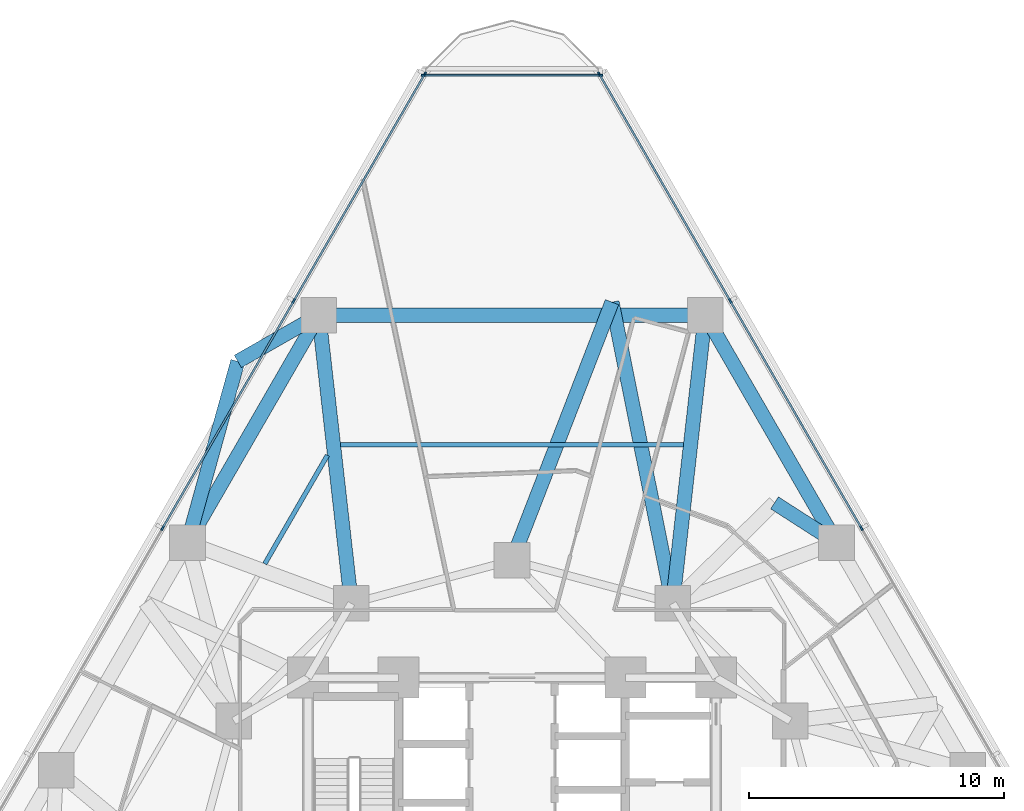
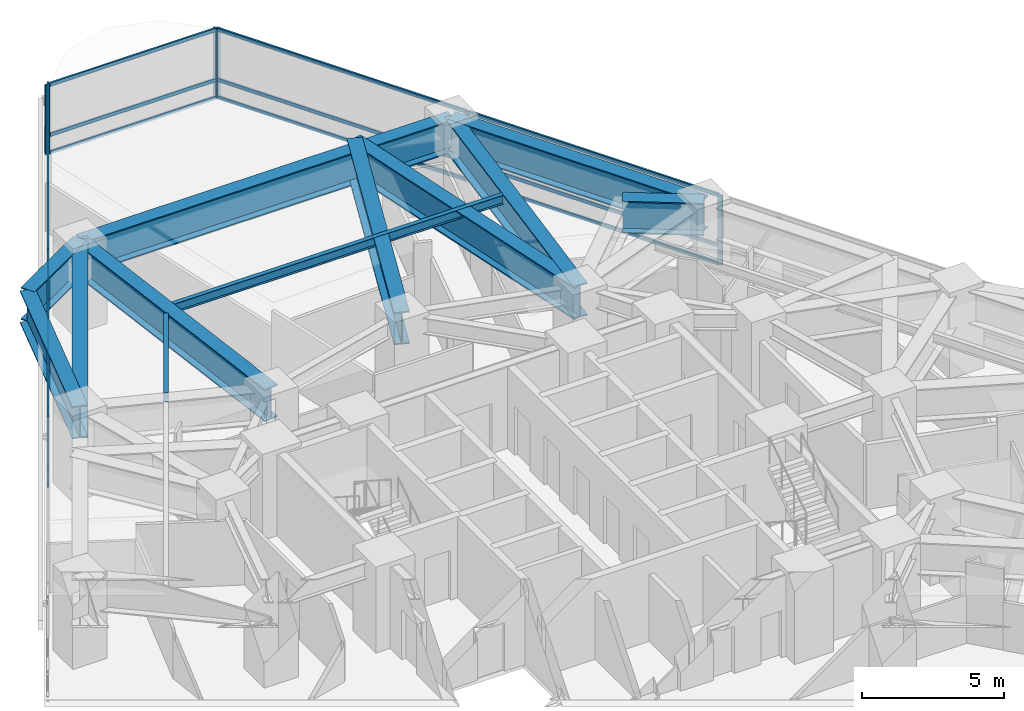
# One storey, part 6 of 15: 23 members, 12 beams, 3 elements without a shape of their own.
"""IFC4 building model written with IfcOpenShell, lengths in metres."""

from ifc_helpers import new_model, si_unit, direction, frame, origin, origin_2d, place, context, subcontext, project, spatial, rectangle, i_section, extrude, material, layer, layer_set, material_profile, profile_set, type_object, element, aggregate, save


model = new_model("IFC4")

# Units and contexts
model_context = context("Model", 3, precision=1e-05, world=origin(), true_north=direction((0.0, 1.0)))
body_context = subcontext(model_context, "Body", "Model", "MODEL_VIEW")
ifc_project = project(units=[si_unit("LENGTHUNIT", "METRE"), si_unit("AREAUNIT", "SQUARE_METRE"), si_unit("VOLUMEUNIT", "CUBIC_METRE"), si_unit("PLANEANGLEUNIT", "RADIAN"), si_unit("MASSUNIT", "GRAM", prefix="KILO")], contexts=[model_context])

# Site, building, storey
site_placement = place(None, origin())
site = spatial("IfcSite", under=ifc_project, at=site_placement, CompositionType="ELEMENT")
building_placement = place(site_placement, origin())
building = spatial("IfcBuilding", under=site, at=building_placement, Name="Terralouvre Media Tower", CompositionType="ELEMENT")
storey_placement = place(building_placement, frame((0.0, 0.0, 51.89990234375)))
storey = spatial("IfcBuildingStorey", under=building, at=storey_placement, Name="L12", CompositionType="ELEMENT", Elevation=51.89990234375)

# Beams
ifc_material_1 = material(Name="Structural steel S355J2", Category="steel")
ifc_material_profile_1 = material_profile(ifc_material_1, i_section(OverallWidth=0.179931640625, OverallDepth=0.39990234375, WebThickness=0.008544921875, FlangeThickness=0.013427734375, at=origin_2d()), Name="IPE 400")
ifc_profile_set_1 = profile_set([ifc_material_profile_1], Name="Structural steel S355J2")
beam_type_1 = type_object("IfcBeamType", Name="Composite Floor Joist J-IPE400 (IPE 400)", PredefinedType="JOIST", material=ifc_profile_set_1)
beam_1_placement = place(storey_placement, frame((6.721435546875, 17.127685546875, 3.300048828125), z_axis=(-1.0, 0.0, 0.0), x_axis=(0.0, -1.0, 0.0)))
element("IfcBeam", 1, at=beam_1_placement, inside=storey, type_object=beam_type_1, Name="L12 Framing Beam JT-L12-09", PredefinedType="JOIST", context=body_context, shape_type="SweptSolid", body=[
    extrude(i_section(OverallWidth=0.179931640625, OverallDepth=0.39990234375, WebThickness=0.008544921875, FlangeThickness=0.013427734375, at=origin_2d()), origin(), (0.0, 0.0, 1.0), 13.44287109375),
])
beam_2_placement = place(storey_placement, frame((-7.23583984375, 16.72119140625, 3.300048828125), z_axis=(-0.500013496215, -0.866017611601, 0.0), x_axis=(0.866017611601, -0.500013496215, 0.0)))
element("IfcBeam", 2, at=beam_2_placement, inside=storey, type_object=beam_type_1, Name="L12 Framing Beam JT-L12-10", PredefinedType="JOIST", context=body_context, shape_type="SweptSolid", body=[
    extrude(i_section(OverallWidth=0.179931640625, OverallDepth=0.39990234375, WebThickness=0.008544921875, FlangeThickness=0.013427734375, at=origin_2d()), origin(), (0.0, 0.0, 1.0), 4.913330078125),
])

# Curtain wall, members
ifc_material_2 = material(Name="Low-iron laminated double glazing with solar-control coating", Category="glass")
ifc_layer_1 = layer(ifc_material_2, 0.1650390625, Name="Lower Media Tower Unitised Curtain Wall CW-02")
ifc_layer_set_1 = layer_set([ifc_layer_1], Name="Low-iron laminated double glazing with solar-control coating")
curtain_wall_type_1 = type_object("IfcCurtainWallType", Name="Lower Media Tower Unitised Curtain Wall CW-02", PredefinedType="NOTDEFINED", material=ifc_layer_set_1)
curtain_wall_1_placement = place(storey_placement, origin())
curtain_wall_1 = element("IfcCurtainWall", 3, at=curtain_wall_1_placement, inside=storey, type_object=curtain_wall_type_1, Name="L12 Facade Curtain Wall F1", PredefinedType="NOTDEFINED")
ifc_material_3 = material(Name="Anodised extruded aluminium 6063-T6", Category="aluminium")
ifc_material_profile_2 = material_profile(ifc_material_3, rectangle(XDim=0.074951171875, YDim=0.14990234375, at=origin_2d()), Name="ALU 75x150")
ifc_profile_set_2 = profile_set([ifc_material_profile_2], Name="Anodised extruded aluminium 6063-T6")
member_type_1 = type_object("IfcMemberType", Name="Curtain-Wall Horizontal Transom TR-150", PredefinedType="USERDEFINED", material=ifc_profile_set_2)
member_1_placement = place(storey_placement, frame((13.684814453125, 13.890869140625, 0.03759765625), z_axis=(-0.499998717582, 0.866026144187, 0.0), x_axis=(-0.866026144187, -0.499998717582, 0.0)))
member_1 = element("IfcMember", 4, at=member_1_placement, type_object=member_type_1, Name="CW-02 transom 4.1", ObjectType="TRANSOM", PredefinedType="USERDEFINED", context=body_context, shape_type="SweptSolid", body=[
    extrude(rectangle(XDim=0.074951171875, YDim=0.14990234375, at=origin_2d()), origin(), (0.0, 0.0, 1.0), 10.22509765625),
])
member_2_placement = place(storey_placement, frame((13.684814453125, 13.890869140625, 0.800048828125), z_axis=(-0.499998717582, 0.866026144187, 0.0), x_axis=(-0.866026144187, -0.499998717582, 0.0)))
member_2 = element("IfcMember", 5, at=member_2_placement, type_object=member_type_1, Name="CW-02 transom 4.2", ObjectType="TRANSOM", PredefinedType="USERDEFINED", context=body_context, shape_type="SweptSolid", body=[
    extrude(rectangle(XDim=0.074951171875, YDim=0.14990234375, at=origin_2d()), origin(), (0.0, 0.0, 1.0), 10.22509765625),
])
member_3_placement = place(storey_placement, frame((13.684814453125, 13.890869140625, 2.962646484375), z_axis=(-0.499998717582, 0.866026144187, 0.0), x_axis=(-0.866026144187, -0.499998717582, 0.0)))
member_3 = element("IfcMember", 6, at=member_3_placement, type_object=member_type_1, Name="CW-02 transom 4.3", ObjectType="TRANSOM", PredefinedType="USERDEFINED", context=body_context, shape_type="SweptSolid", body=[
    extrude(rectangle(XDim=0.074951171875, YDim=0.14990234375, at=origin_2d()), origin(), (0.0, 0.0, 1.0), 10.22509765625),
])
member_4_placement = place(storey_placement, frame((8.53466796875, 22.81103515625, 0.03759765625), z_axis=(-0.500005272087, 0.866022359922, 0.0), x_axis=(-0.866022359922, -0.500005272087, 0.0)))
member_4 = element("IfcMember", 7, at=member_4_placement, type_object=member_type_1, Name="CW-02 transom 5.1", ObjectType="TRANSOM", PredefinedType="USERDEFINED", context=body_context, shape_type="SweptSolid", body=[
    extrude(rectangle(XDim=0.074951171875, YDim=0.14990234375, at=origin_2d()), origin(), (0.0, 0.0, 1.0), 10.1875),
])
member_5_placement = place(storey_placement, frame((8.53466796875, 22.81103515625, 0.800048828125), z_axis=(-0.500005272087, 0.866022359922, 0.0), x_axis=(-0.866022359922, -0.500005272087, 0.0)))
member_5 = element("IfcMember", 8, at=member_5_placement, type_object=member_type_1, Name="CW-02 transom 5.2", ObjectType="TRANSOM", PredefinedType="USERDEFINED", context=body_context, shape_type="SweptSolid", body=[
    extrude(rectangle(XDim=0.074951171875, YDim=0.14990234375, at=origin_2d()), origin(), (0.0, 0.0, 1.0), 10.1875),
])
member_6_placement = place(storey_placement, frame((8.53466796875, 22.81103515625, 2.962646484375), z_axis=(-0.500005272087, 0.866022359922, 0.0), x_axis=(-0.866022359922, -0.500005272087, 0.0)))
member_6 = element("IfcMember", 9, at=member_6_placement, type_object=member_type_1, Name="CW-02 transom 5.3", ObjectType="TRANSOM", PredefinedType="USERDEFINED", context=body_context, shape_type="SweptSolid", body=[
    extrude(rectangle(XDim=0.074951171875, YDim=0.14990234375, at=origin_2d()), origin(), (0.0, 0.0, 1.0), 10.1875),
])

curtain_wall_2_placement = place(storey_placement, origin())
curtain_wall_2 = element("IfcCurtainWall", 10, at=curtain_wall_2_placement, inside=storey, type_object=curtain_wall_type_1, Name="L12 Facade Curtain Wall F2", PredefinedType="NOTDEFINED")
member_7_placement = place(storey_placement, frame((-3.44091796875, 31.633544921875, 0.03759765625), z_axis=(-0.500005272087, -0.866022359922, 0.0), x_axis=(0.866022359922, -0.500005272087, 0.0)))
member_7 = element("IfcMember", 11, at=member_7_placement, type_object=member_type_1, Name="CW-02 transom 1.1", ObjectType="TRANSOM", PredefinedType="USERDEFINED", context=body_context, shape_type="SweptSolid", body=[
    extrude(rectangle(XDim=0.074951171875, YDim=0.14990234375, at=origin_2d()), origin(), (0.0, 0.0, 1.0), 10.1875),
])
member_8_placement = place(storey_placement, frame((-3.44091796875, 31.633544921875, 0.800048828125), z_axis=(-0.500005272087, -0.866022359922, 0.0), x_axis=(0.866022359922, -0.500005272087, 0.0)))
member_8 = element("IfcMember", 12, at=member_8_placement, type_object=member_type_1, Name="CW-02 transom 1.2", ObjectType="TRANSOM", PredefinedType="USERDEFINED", context=body_context, shape_type="SweptSolid", body=[
    extrude(rectangle(XDim=0.074951171875, YDim=0.14990234375, at=origin_2d()), origin(), (0.0, 0.0, 1.0), 10.1875),
])
member_9_placement = place(storey_placement, frame((-3.44091796875, 31.633544921875, 2.962646484375), z_axis=(-0.500005272087, -0.866022359922, 0.0), x_axis=(0.866022359922, -0.500005272087, 0.0)))
member_9 = element("IfcMember", 13, at=member_9_placement, type_object=member_type_1, Name="CW-02 transom 1.3", ObjectType="TRANSOM", PredefinedType="USERDEFINED", context=body_context, shape_type="SweptSolid", body=[
    extrude(rectangle(XDim=0.074951171875, YDim=0.14990234375, at=origin_2d()), origin(), (0.0, 0.0, 1.0), 10.1875),
])
member_10_placement = place(storey_placement, frame((-8.572265625, 22.74609375, 0.03759765625), z_axis=(-0.499998717582, -0.866026144187, 0.0), x_axis=(0.866026144187, -0.499998717582, 0.0)))
member_10 = element("IfcMember", 14, at=member_10_placement, type_object=member_type_1, Name="CW-02 transom 2.1", ObjectType="TRANSOM", PredefinedType="USERDEFINED", context=body_context, shape_type="SweptSolid", body=[
    extrude(rectangle(XDim=0.074951171875, YDim=0.14990234375, at=origin_2d()), origin(), (0.0, 0.0, 1.0), 10.22509765625),
])
member_11_placement = place(storey_placement, frame((-8.572265625, 22.74609375, 0.800048828125), z_axis=(-0.499998717582, -0.866026144187, 0.0), x_axis=(0.866026144187, -0.499998717582, 0.0)))
member_11 = element("IfcMember", 15, at=member_11_placement, type_object=member_type_1, Name="CW-02 transom 2.2", ObjectType="TRANSOM", PredefinedType="USERDEFINED", context=body_context, shape_type="SweptSolid", body=[
    extrude(rectangle(XDim=0.074951171875, YDim=0.14990234375, at=origin_2d()), origin(), (0.0, 0.0, 1.0), 10.22509765625),
])
member_12_placement = place(storey_placement, frame((-8.572265625, 22.74609375, 2.962646484375), z_axis=(-0.499998717582, -0.866026144187, 0.0), x_axis=(0.866026144187, -0.499998717582, 0.0)))
member_12 = element("IfcMember", 16, at=member_12_placement, type_object=member_type_1, Name="CW-02 transom 2.3", ObjectType="TRANSOM", PredefinedType="USERDEFINED", context=body_context, shape_type="SweptSolid", body=[
    extrude(rectangle(XDim=0.074951171875, YDim=0.14990234375, at=origin_2d()), origin(), (0.0, 0.0, 1.0), 10.22509765625),
])

ifc_material_4 = material(Name="Low-iron laminated double glazing with solar-control coating", Category="glass")
ifc_layer_2 = layer(ifc_material_4, 0.1650390625, Name="Rounded Wind-Corner Curved Glazing CW-04")
ifc_layer_set_2 = layer_set([ifc_layer_2], Name="Low-iron laminated double glazing with solar-control coating")
curtain_wall_type_2 = type_object("IfcCurtainWallType", Name="Rounded Wind-Corner Curved Glazing CW-04", PredefinedType="NOTDEFINED", material=ifc_layer_set_2)
curtain_wall_3_placement = place(storey_placement, origin())
curtain_wall_3 = element("IfcCurtainWall", 17, at=curtain_wall_3_placement, inside=storey, type_object=curtain_wall_type_2, Name="L12 Rounded Wind-Corner Curtain Wall C2", PredefinedType="NOTDEFINED")
member_13_placement = place(storey_placement, frame((3.432373046875, 31.61865234375, 0.03759765625), z_axis=(-1.0, 0.0, 0.0), x_axis=(0.0, -1.0, 0.0)))
member_13 = element("IfcMember", 18, at=member_13_placement, type_object=member_type_1, Name="CW-04 transom 1.1", ObjectType="TRANSOM", PredefinedType="USERDEFINED", context=body_context, shape_type="SweptSolid", body=[
    extrude(rectangle(XDim=0.074951171875, YDim=0.14990234375, at=origin_2d()), origin(), (0.0, 0.0, 1.0), 6.86474609375),
])
member_14_placement = place(storey_placement, frame((3.432373046875, 31.61865234375, 0.800048828125), z_axis=(-1.0, 0.0, 0.0), x_axis=(0.0, -1.0, 0.0)))
member_14 = element("IfcMember", 19, at=member_14_placement, type_object=member_type_1, Name="CW-04 transom 1.2", ObjectType="TRANSOM", PredefinedType="USERDEFINED", context=body_context, shape_type="SweptSolid", body=[
    extrude(rectangle(XDim=0.074951171875, YDim=0.14990234375, at=origin_2d()), origin(), (0.0, 0.0, 1.0), 6.86474609375),
])
member_15_placement = place(storey_placement, frame((3.432373046875, 31.61865234375, 2.962646484375), z_axis=(-1.0, 0.0, 0.0), x_axis=(0.0, -1.0, 0.0)))
member_15 = element("IfcMember", 20, at=member_15_placement, type_object=member_type_1, Name="CW-04 transom 1.3", ObjectType="TRANSOM", PredefinedType="USERDEFINED", context=body_context, shape_type="SweptSolid", body=[
    extrude(rectangle(XDim=0.074951171875, YDim=0.14990234375, at=origin_2d()), origin(), (0.0, 0.0, 1.0), 6.86474609375),
])

# Member
ifc_material_5 = material(Name="Anodised extruded aluminium 6063-T6", Category="aluminium")
ifc_material_profile_3 = material_profile(ifc_material_5, rectangle(XDim=0.074951171875, YDim=0.179931640625, at=origin_2d()), Name="ALU 75x180")
ifc_profile_set_3 = profile_set([ifc_material_profile_3], Name="Anodised extruded aluminium 6063-T6")
member_type_2 = type_object("IfcMemberType", Name="Curtain-Wall Vertical Mullion ML-180", PredefinedType="MULLION", material=ifc_profile_set_3)
member_16_placement = place(storey_placement, frame((13.703369140625, 13.8583984375, 0.0), z_axis=(0.0, 0.0, 1.0), x_axis=(-0.866025412057, -0.499999985671, 0.0)))
member_16 = element("IfcMember", 21, at=member_16_placement, type_object=member_type_2, Name="CW-02 mullion 4", PredefinedType="MULLION", context=body_context, shape_type="SweptSolid", body=[
    extrude(rectangle(XDim=0.074951171875, YDim=0.179931640625, at=origin_2d()), origin(), (0.0, 0.0, 1.0), 3.0),
])

member_17_placement = place(storey_placement, frame((8.553466796875, 22.778564453125, 0.0), z_axis=(0.0, 0.0, 1.0), x_axis=(-0.866025412057, -0.499999985671, 0.0)))
member_17 = element("IfcMember", 22, at=member_17_placement, type_object=member_type_2, Name="CW-02 mullion 5", PredefinedType="MULLION", context=body_context, shape_type="SweptSolid", body=[
    extrude(rectangle(XDim=0.074951171875, YDim=0.179931640625, at=origin_2d()), origin(), (0.0, 0.0, 1.0), 3.0),
])

member_18_placement = place(storey_placement, frame((3.422119140625, 31.666015625, 0.0), z_axis=(0.0, 0.0, 1.0), x_axis=(-0.866025412057, -0.499999985671, 0.0)))
member_18 = element("IfcMember", 23, at=member_18_placement, type_object=member_type_2, Name="CW-02 mullion 6", PredefinedType="MULLION", context=body_context, shape_type="SweptSolid", body=[
    extrude(rectangle(XDim=0.074951171875, YDim=0.179931640625, at=origin_2d()), origin(), (0.0, 0.0, 1.0), 3.0),
])

aggregate(curtain_wall_1, [member_16, member_17, member_18, member_1, member_2, member_3, member_4, member_5, member_6])

member_19_placement = place(storey_placement, frame((-3.422119140625, 31.666015625, 0.0), z_axis=(0.0, 0.0, 1.0), x_axis=(0.866025412057, -0.499999985671, 0.0)))
member_19 = element("IfcMember", 24, at=member_19_placement, type_object=member_type_2, Name="CW-02 mullion 1", PredefinedType="MULLION", context=body_context, shape_type="SweptSolid", body=[
    extrude(rectangle(XDim=0.074951171875, YDim=0.179931640625, at=origin_2d()), origin(), (0.0, 0.0, 1.0), 3.0),
])

member_20_placement = place(storey_placement, frame((-8.553466796875, 22.778564453125, 0.0), z_axis=(0.0, 0.0, 1.0), x_axis=(0.866025412057, -0.499999985671, 0.0)))
member_20 = element("IfcMember", 25, at=member_20_placement, type_object=member_type_2, Name="CW-02 mullion 2", PredefinedType="MULLION", context=body_context, shape_type="SweptSolid", body=[
    extrude(rectangle(XDim=0.074951171875, YDim=0.179931640625, at=origin_2d()), origin(), (0.0, 0.0, 1.0), 3.0),
])

member_21_placement = place(storey_placement, frame((-13.703369140625, 13.8583984375, 0.0), z_axis=(0.0, 0.0, 1.0), x_axis=(0.866025412057, -0.499999985671, 0.0)))
member_21 = element("IfcMember", 26, at=member_21_placement, type_object=member_type_2, Name="CW-02 mullion 3", PredefinedType="MULLION", context=body_context, shape_type="SweptSolid", body=[
    extrude(rectangle(XDim=0.074951171875, YDim=0.179931640625, at=origin_2d()), origin(), (0.0, 0.0, 1.0), 3.0),
])

aggregate(curtain_wall_2, [member_19, member_20, member_21, member_7, member_8, member_9, member_10, member_11, member_12])

member_22_placement = place(storey_placement, frame((3.469970703125, 31.61865234375, 0.0), z_axis=(0.0, 0.0, 1.0), x_axis=(0.0, -1.0, 0.0)))
member_22 = element("IfcMember", 27, at=member_22_placement, type_object=member_type_2, Name="CW-04 mullion 1", PredefinedType="MULLION", context=body_context, shape_type="SweptSolid", body=[
    extrude(rectangle(XDim=0.074951171875, YDim=0.179931640625, at=origin_2d()), origin(), (0.0, 0.0, 1.0), 3.0),
])

member_23_placement = place(storey_placement, frame((-3.469970703125, 31.61865234375, 0.0), z_axis=(0.0, 0.0, 1.0), x_axis=(0.0, -1.0, 0.0)))
member_23 = element("IfcMember", 28, at=member_23_placement, type_object=member_type_2, Name="CW-04 mullion 2", PredefinedType="MULLION", context=body_context, shape_type="SweptSolid", body=[
    extrude(rectangle(XDim=0.074951171875, YDim=0.179931640625, at=origin_2d()), origin(), (0.0, 0.0, 1.0), 3.0),
])

aggregate(curtain_wall_3, [member_22, member_23, member_13, member_14, member_15])

# Beams
ifc_material_6 = material(Name="Structural steel S460M", Category="steel")
ifc_material_profile_4 = material_profile(ifc_material_6, i_section(OverallWidth=0.56005859375, OverallDepth=1.39990234375, WebThickness=0.031982421875, FlangeThickness=0.050048828125, at=origin_2d()), Name="TG 1400x560")
ifc_profile_set_4 = profile_set([ifc_material_profile_4], Name="Structural steel S460M")
beam_type_2 = type_object("IfcBeamType", Name="Welded Transfer Girder TG-1400 (TG 1400x560)", PredefinedType="USERDEFINED", material=ifc_profile_set_4)
beam_3_placement = place(storey_placement, frame((12.724853515625, 13.29345703125, 2.800048828125), z_axis=(-0.499998765615, 0.866026116456, 0.0), x_axis=(-0.866026116456, -0.499998765615, 0.0)))
element("IfcBeam", 29, at=beam_3_placement, inside=storey, type_object=beam_type_2, Name="L12 Framing Beam BM-L12-PR08", ObjectType="TRANSFER GIRDER", PredefinedType="USERDEFINED", context=body_context, shape_type="SweptSolid", body=[
    extrude(i_section(OverallWidth=0.56005859375, OverallDepth=1.39990234375, WebThickness=0.031982421875, FlangeThickness=0.050048828125, at=origin_2d()), origin(), (0.0, 0.0, 1.0), 10.2998046875),
])
beam_4_placement = place(storey_placement, frame((7.574951171875, 22.21337890625, 2.800048828125), z_axis=(-1.0, 0.0, 0.0), x_axis=(0.0, -1.0, 0.0)))
element("IfcBeam", 30, at=beam_4_placement, inside=storey, type_object=beam_type_2, Name="L12 Framing Beam BM-L12-PR09", ObjectType="TRANSFER GIRDER", PredefinedType="USERDEFINED", context=body_context, shape_type="SweptSolid", body=[
    extrude(i_section(OverallWidth=0.56005859375, OverallDepth=1.39990234375, WebThickness=0.031982421875, FlangeThickness=0.050048828125, at=origin_2d()), origin(), (0.0, 0.0, 1.0), 15.14990234375),
])
beam_5_placement = place(storey_placement, frame((-7.574951171875, 22.21337890625, 2.800048828125), z_axis=(-0.499998765615, -0.866026116456, 0.0), x_axis=(0.866026116456, -0.499998765615, 0.0)))
element("IfcBeam", 31, at=beam_5_placement, inside=storey, type_object=beam_type_2, Name="L12 Framing Beam BM-L12-PR10", ObjectType="TRANSFER GIRDER", PredefinedType="USERDEFINED", context=body_context, shape_type="SweptSolid", body=[
    extrude(i_section(OverallWidth=0.56005859375, OverallDepth=1.39990234375, WebThickness=0.031982421875, FlangeThickness=0.050048828125, at=origin_2d()), origin(), (0.0, 0.0, 1.0), 10.2998046875),
])
for number, where, z_axis, x_axis, name in (
    (32, (6.300048828125, 10.911865234375, 2.800048828125), (0.112097104782, 0.993697257267, 0.0), (-0.993697257267, 0.112097104782, 0.0), "L12 Framing Beam BM-L12-RD09"),
    (33, (-6.300048828125, 10.911865234375, 2.800048828125), (-0.112097104782, 0.993697257267, 0.0), (-0.993697257267, -0.112097104782, 0.0), "L12 Framing Beam BM-L12-RD10"),
):
    element("IfcBeam", number, at=place(storey_placement, frame(where, z_axis=z_axis, x_axis=x_axis)), inside=storey, type_object=beam_type_2, Name=name, ObjectType="TRANSFER GIRDER", PredefinedType="USERDEFINED", context=body_context, shape_type="SweptSolid", body=[
        extrude(i_section(OverallWidth=0.56005859375, OverallDepth=1.39990234375, WebThickness=0.031982421875, FlangeThickness=0.050048828125, at=origin_2d()), origin(), (0.0, 0.0, 1.0), 11.373291015625),
    ])
beam_6_placement = place(storey_placement, frame((10.29541015625, 14.853271484375, 2.800048828125), z_axis=(0.841488808993, -0.540274545338, 0.0), x_axis=(0.540274545338, 0.841488808993, 0.0)))
element("IfcBeam", 34, at=beam_6_placement, inside=storey, type_object=beam_type_2, Name="L12 Framing Beam BM-L12-TR07S1", ObjectType="TRANSFER GIRDER", PredefinedType="USERDEFINED", context=body_context, shape_type="SweptSolid", body=[
    extrude(i_section(OverallWidth=0.56005859375, OverallDepth=1.39990234375, WebThickness=0.031982421875, FlangeThickness=0.050048828125, at=origin_2d()), origin(), (0.0, 0.0, 1.0), 2.886962890625),
])
beam_7_placement = place(storey_placement, frame((3.921630859375, 22.72412109375, 2.800048828125), z_axis=(-0.361206690819, -0.93248577818, 0.0), x_axis=(0.93248577818, -0.361206690819, 0.0)))
element("IfcBeam", 35, at=beam_7_placement, inside=storey, type_object=beam_type_2, Name="L12 Framing Beam BM-L12-TR08S1", ObjectType="TRANSFER GIRDER", PredefinedType="USERDEFINED", context=body_context, shape_type="SweptSolid", body=[
    extrude(i_section(OverallWidth=0.56005859375, OverallDepth=1.39990234375, WebThickness=0.031982421875, FlangeThickness=0.050048828125, at=origin_2d()), origin(), (0.0, 0.0, 1.0), 10.85693359375),
])
beam_8_placement = place(storey_placement, frame((3.921630859375, 22.72412109375, 2.800048828125), z_axis=(0.197390122929, -0.980325017211, 0.0), x_axis=(0.980325017211, 0.197390122929, 0.0)))
element("IfcBeam", 36, at=beam_8_placement, inside=storey, type_object=beam_type_2, Name="L12 Framing Beam BM-L12-TR08S2", ObjectType="TRANSFER GIRDER", PredefinedType="USERDEFINED", context=body_context, shape_type="SweptSolid", body=[
    extrude(i_section(OverallWidth=0.56005859375, OverallDepth=1.39990234375, WebThickness=0.031982421875, FlangeThickness=0.050048828125, at=origin_2d()), origin(), (0.0, 0.0, 1.0), 12.04931640625),
])
beam_9_placement = place(storey_placement, frame((-10.751953125, 20.400146484375, 2.800048828125), z_axis=(0.86850177411, 0.495686058274, 0.0), x_axis=(-0.495686058274, 0.86850177411, 0.0)))
element("IfcBeam", 37, at=beam_9_placement, inside=storey, type_object=beam_type_2, Name="L12 Framing Beam BM-L12-TR09S1", ObjectType="TRANSFER GIRDER", PredefinedType="USERDEFINED", context=body_context, shape_type="SweptSolid", body=[
    extrude(i_section(OverallWidth=0.56005859375, OverallDepth=1.39990234375, WebThickness=0.031982421875, FlangeThickness=0.050048828125, at=origin_2d()), origin(), (0.0, 0.0, 1.0), 3.657958984375),
])
beam_10_placement = place(storey_placement, frame((-10.751953125, 20.400146484375, 2.800048828125), z_axis=(-0.267495329496, -0.963559156823, 0.0), x_axis=(0.963559156823, -0.267495329496, 0.0)))
element("IfcBeam", 38, at=beam_10_placement, inside=storey, type_object=beam_type_2, Name="L12 Framing Beam BM-L12-TR09S2", ObjectType="TRANSFER GIRDER", PredefinedType="USERDEFINED", context=body_context, shape_type="SweptSolid", body=[
    extrude(i_section(OverallWidth=0.56005859375, OverallDepth=1.39990234375, WebThickness=0.031982421875, FlangeThickness=0.050048828125, at=origin_2d()), origin(), (0.0, 0.0, 1.0), 7.37548828125),
])

save(model, "model.ifc")
